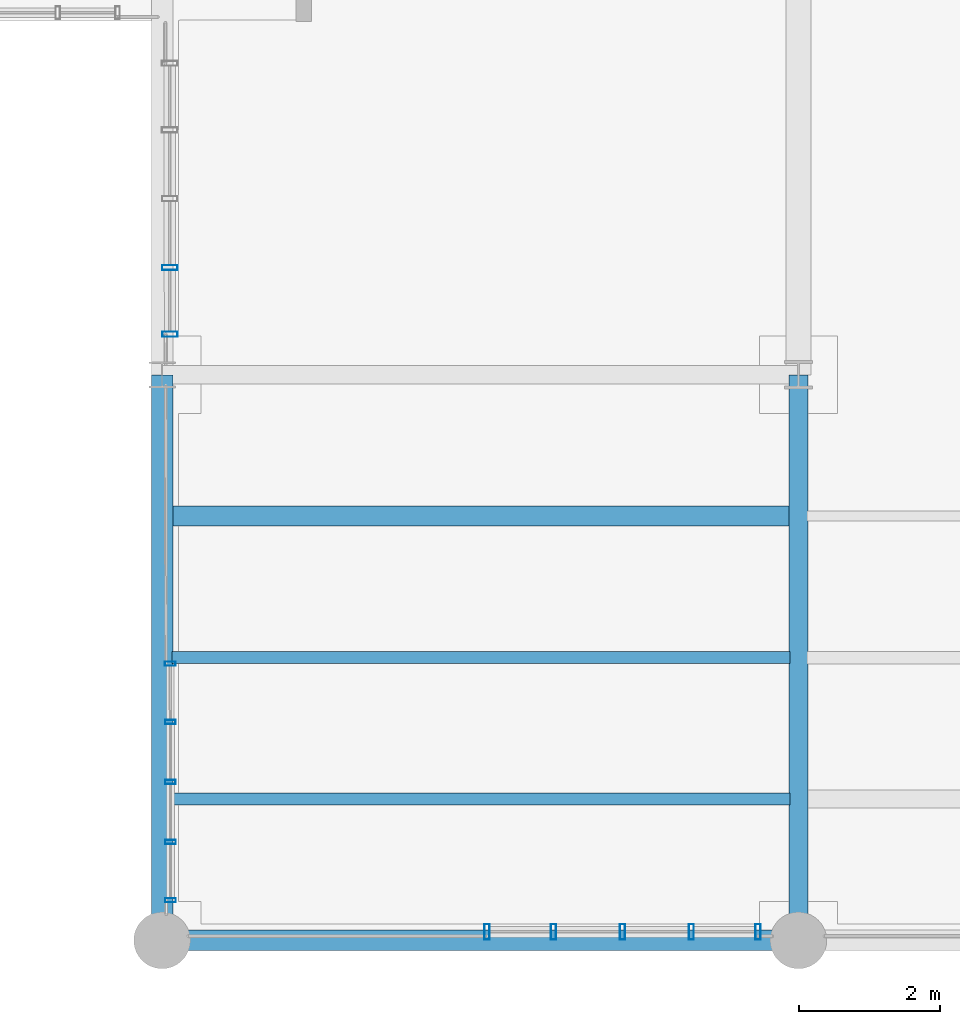
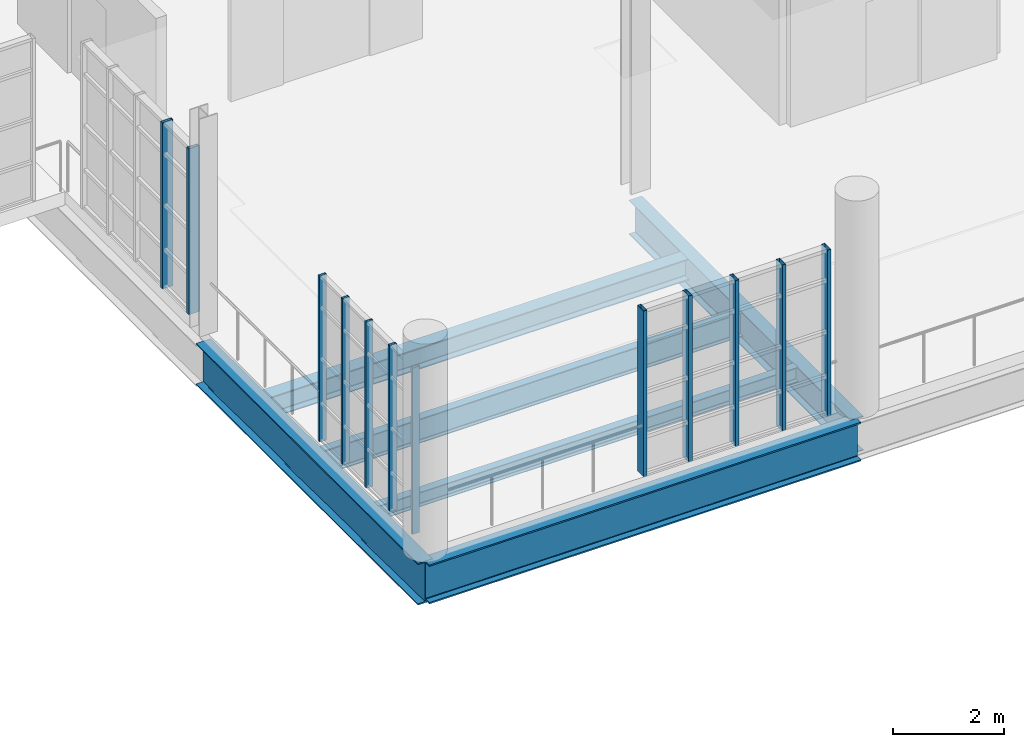
# One storey, part 23 of 122: 12 members, 6 beams, 3 elements without a shape of their own.
"""IFC4 building model written with IfcOpenShell, lengths in metres."""

from ifc_helpers import new_model, si_unit, direction, frame, origin, origin_2d, place, context, subcontext, project, spatial, hollow_rectangle, i_section, extrude, material, layer, layer_set, material_profile, profile_set, type_object, element, aggregate, save


model = new_model("IFC4")

# Units and contexts
model_context = context("Model", 3, precision=1e-05, world=origin(), true_north=direction((0.0, 1.0)))
body_context = subcontext(model_context, "Body", "Model", "MODEL_VIEW")
ifc_project = project(units=[si_unit("LENGTHUNIT", "METRE"), si_unit("AREAUNIT", "SQUARE_METRE"), si_unit("VOLUMEUNIT", "CUBIC_METRE"), si_unit("PLANEANGLEUNIT", "RADIAN"), si_unit("MASSUNIT", "GRAM", prefix="KILO"), si_unit("THERMODYNAMICTEMPERATUREUNIT", "KELVIN"), si_unit("POWERUNIT", "WATT")], contexts=[model_context])

# Site, building, storey
site_placement = place(None, origin())
site = spatial("IfcSite", under=ifc_project, at=site_placement, CompositionType="ELEMENT")
building_placement = place(site_placement, origin())
building = spatial("IfcBuilding", under=site, at=building_placement, Name="Zelmaris Science Centre", CompositionType="ELEMENT")
storey_placement = place(building_placement, frame((0.0, 0.0, 10.800048828125)))
storey = spatial("IfcBuildingStorey", under=building, at=storey_placement, Name="L02", CompositionType="ELEMENT", Elevation=10.800048828125)

# Curtain wall, members
ifc_material_1 = material(Name="Anodised architectural aluminium 6063-T6", Category="aluminium")
ifc_layer_1 = layer(ifc_material_1, 0.219970703125, Name="Anodised architectural aluminium 6063-T6")
ifc_layer_set_1 = layer_set([ifc_layer_1], Name="Anodised architectural aluminium 6063-T6")
curtain_wall_type_1 = type_object("IfcCurtainWallType", Name="Curtain Wall CW-04", PredefinedType="USERDEFINED", material=ifc_layer_set_1)
curtain_wall_1_placement = place(storey_placement, origin())
curtain_wall_1 = element("IfcCurtainWall", 1, at=curtain_wall_1_placement, inside=storey, type_object=curtain_wall_type_1, Name="L02 Unitised curtain wall 244", ObjectType="GLAZED CURTAIN WALL", PredefinedType="USERDEFINED")
ifc_material_profile_1 = material_profile(ifc_material_1, hollow_rectangle(XDim=0.06005859375, YDim=0.14990234375, WallThickness=0.00341796875, at=origin_2d()), Name="ALU-MUL-60X150")
ifc_profile_set_1 = profile_set([ifc_material_profile_1], Name="Anodised architectural aluminium 6063-T6")
member_type_1 = type_object("IfcMemberType", Name="ALU-MUL-60X150", PredefinedType="MULLION", material=ifc_profile_set_1)
member_1_placement = place(storey_placement, frame((108.119384765625, 8.566162109375, -0.01513671875), z_axis=(0.0, 0.0, 1.0), x_axis=(-0.001054178673, 0.999999444354, 0.0)))
member_1 = element("IfcMember", 2, at=member_1_placement, type_object=member_type_1, Name="CW-04 mullion 1", PredefinedType="MULLION", context=body_context, shape_type="SweptSolid", body=[
    extrude(hollow_rectangle(XDim=0.06005859375, YDim=0.14990234375, WallThickness=0.00341796875, at=origin_2d()), origin(), (0.0, 0.0, 1.0), 3.6591796875),
])
member_2_placement = place(storey_placement, frame((108.11865234375, 9.39013671875, -0.01513671875), z_axis=(0.0, 0.0, 1.0), x_axis=(-0.001054178673, 0.999999444354, 0.0)))
member_2 = element("IfcMember", 3, at=member_2_placement, type_object=member_type_1, Name="CW-04 mullion 2", PredefinedType="MULLION", context=body_context, shape_type="SweptSolid", body=[
    extrude(hollow_rectangle(XDim=0.06005859375, YDim=0.14990234375, WallThickness=0.00341796875, at=origin_2d()), origin(), (0.0, 0.0, 1.0), 3.6591796875),
])
member_3_placement = place(storey_placement, frame((108.11767578125, 10.240234375, -0.01513671875), z_axis=(0.0, 0.0, 1.0), x_axis=(-0.001054178673, 0.999999444354, 0.0)))
member_3 = element("IfcMember", 4, at=member_3_placement, type_object=member_type_1, Name="CW-04 mullion 3", PredefinedType="MULLION", context=body_context, shape_type="SweptSolid", body=[
    extrude(hollow_rectangle(XDim=0.06005859375, YDim=0.14990234375, WallThickness=0.00341796875, at=origin_2d()), origin(), (0.0, 0.0, 1.0), 3.6591796875),
])
member_4_placement = place(storey_placement, frame((108.11669921875, 11.090087890625, -0.01513671875), z_axis=(0.0, 0.0, 1.0), x_axis=(-0.001054178673, 0.999999444354, 0.0)))
member_4 = element("IfcMember", 5, at=member_4_placement, type_object=member_type_1, Name="CW-04 mullion 4", PredefinedType="MULLION", context=body_context, shape_type="SweptSolid", body=[
    extrude(hollow_rectangle(XDim=0.06005859375, YDim=0.14990234375, WallThickness=0.00341796875, at=origin_2d()), origin(), (0.0, 0.0, 1.0), 3.6591796875),
])
member_5_placement = place(storey_placement, frame((108.115966796875, 11.9140625, -0.01513671875), z_axis=(0.0, 0.0, 1.0), x_axis=(-0.001054178673, 0.999999444354, 0.0)))
member_5 = element("IfcMember", 6, at=member_5_placement, type_object=member_type_1, Name="CW-04 mullion 5", PredefinedType="MULLION", context=body_context, shape_type="SweptSolid", body=[
    extrude(hollow_rectangle(XDim=0.06005859375, YDim=0.14990234375, WallThickness=0.00341796875, at=origin_2d()), origin(), (0.0, 0.0, 1.0), 3.6591796875),
])
aggregate(curtain_wall_1, [member_1, member_2, member_3, member_4, member_5])

ifc_layer_2 = layer(ifc_material_1, 0.199951171875, Name="Anodised architectural aluminium 6063-T6")
ifc_layer_set_2 = layer_set([ifc_layer_2], Name="Anodised architectural aluminium 6063-T6")
curtain_wall_type_2 = type_object("IfcCurtainWallType", Name="Curtain Wall CW-02", PredefinedType="USERDEFINED", material=ifc_layer_set_2)
curtain_wall_2_placement = place(storey_placement, origin())
curtain_wall_2 = element("IfcCurtainWall", 7, at=curtain_wall_2_placement, inside=storey, type_object=curtain_wall_type_2, Name="L02 Unitised curtain wall 242", ObjectType="GLAZED CURTAIN WALL", PredefinedType="USERDEFINED")
ifc_material_profile_2 = material_profile(ifc_material_1, hollow_rectangle(XDim=0.074951171875, YDim=0.219970703125, WallThickness=0.0048828125, at=origin_2d()), Name="ALU-MUL-75X220")
ifc_profile_set_2 = profile_set([ifc_material_profile_2], Name="Anodised architectural aluminium 6063-T6")
member_type_2 = type_object("IfcMemberType", Name="ALU-MUL-75X220", PredefinedType="MULLION", material=ifc_profile_set_2)
member_6_placement = place(storey_placement, frame((116.426513671875, 8.1201171875, -0.01513671875), z_axis=(0.0, 0.0, 1.0), x_axis=(-1.0, 0.0, 0.0)))
member_6 = element("IfcMember", 8, at=member_6_placement, type_object=member_type_2, Name="CW-02 mullion 1", PredefinedType="MULLION", context=body_context, shape_type="SweptSolid", body=[
    extrude(hollow_rectangle(XDim=0.074951171875, YDim=0.219970703125, WallThickness=0.0048828125, at=origin_2d()), origin(), (0.0, 0.0, 1.0), 3.6611328125),
])
member_7_placement = place(storey_placement, frame((115.485107421875, 8.1201171875, -0.01513671875), z_axis=(0.0, 0.0, 1.0), x_axis=(-1.0, 0.0, 0.0)))
member_7 = element("IfcMember", 9, at=member_7_placement, type_object=member_type_2, Name="CW-02 mullion 2", PredefinedType="MULLION", context=body_context, shape_type="SweptSolid", body=[
    extrude(hollow_rectangle(XDim=0.074951171875, YDim=0.219970703125, WallThickness=0.0048828125, at=origin_2d()), origin(), (0.0, 0.0, 1.0), 3.6611328125),
])
member_8_placement = place(storey_placement, frame((114.510009765625, 8.1201171875, -0.01513671875), z_axis=(0.0, 0.0, 1.0), x_axis=(-1.0, 0.0, 0.0)))
member_8 = element("IfcMember", 10, at=member_8_placement, type_object=member_type_2, Name="CW-02 mullion 3", PredefinedType="MULLION", context=body_context, shape_type="SweptSolid", body=[
    extrude(hollow_rectangle(XDim=0.074951171875, YDim=0.219970703125, WallThickness=0.0048828125, at=origin_2d()), origin(), (0.0, 0.0, 1.0), 3.6611328125),
])
member_9_placement = place(storey_placement, frame((113.534912109375, 8.1201171875, -0.01513671875), z_axis=(0.0, 0.0, 1.0), x_axis=(-1.0, 0.0, 0.0)))
member_9 = element("IfcMember", 11, at=member_9_placement, type_object=member_type_2, Name="CW-02 mullion 4", PredefinedType="MULLION", context=body_context, shape_type="SweptSolid", body=[
    extrude(hollow_rectangle(XDim=0.074951171875, YDim=0.219970703125, WallThickness=0.0048828125, at=origin_2d()), origin(), (0.0, 0.0, 1.0), 3.6611328125),
])
member_10_placement = place(storey_placement, frame((112.593505859375, 8.1201171875, -0.01513671875), z_axis=(0.0, 0.0, 1.0), x_axis=(-1.0, 0.0, 0.0)))
member_10 = element("IfcMember", 12, at=member_10_placement, type_object=member_type_2, Name="CW-02 mullion 5", PredefinedType="MULLION", context=body_context, shape_type="SweptSolid", body=[
    extrude(hollow_rectangle(XDim=0.074951171875, YDim=0.219970703125, WallThickness=0.0048828125, at=origin_2d()), origin(), (0.0, 0.0, 1.0), 3.6611328125),
])
aggregate(curtain_wall_2, [member_6, member_7, member_8, member_9, member_10])

curtain_wall_3_placement = place(storey_placement, origin())
curtain_wall_3 = element("IfcCurtainWall", 13, at=curtain_wall_3_placement, inside=storey, type_object=curtain_wall_type_2, Name="L02 Unitised curtain wall 246", ObjectType="GLAZED CURTAIN WALL", PredefinedType="USERDEFINED")
member_11_placement = place(storey_placement, frame((108.111083984375, 16.573486328125, -0.01513671875), z_axis=(0.0, 0.0, 1.0), x_axis=(-0.001054178673, 0.999999444354, 0.0)))
member_11 = element("IfcMember", 14, at=member_11_placement, type_object=member_type_2, Name="CW-02 mullion 1", PredefinedType="MULLION", context=body_context, shape_type="SweptSolid", body=[
    extrude(hollow_rectangle(XDim=0.074951171875, YDim=0.219970703125, WallThickness=0.0048828125, at=origin_2d()), origin(), (0.0, 0.0, 1.0), 3.6591796875),
])
member_12_placement = place(storey_placement, frame((108.110107421875, 17.5146484375, -0.01513671875), z_axis=(0.0, 0.0, 1.0), x_axis=(-0.001054178673, 0.999999444354, 0.0)))
member_12 = element("IfcMember", 15, at=member_12_placement, type_object=member_type_2, Name="CW-02 mullion 2", PredefinedType="MULLION", context=body_context, shape_type="SweptSolid", body=[
    extrude(hollow_rectangle(XDim=0.074951171875, YDim=0.219970703125, WallThickness=0.0048828125, at=origin_2d()), origin(), (0.0, 0.0, 1.0), 3.6591796875),
])
aggregate(curtain_wall_3, [member_11, member_12])

# Beams
ifc_material_2 = material(Name="Steel ASTM A992 Grade 50", Category="steel")
ifc_material_profile_3 = material_profile(ifc_material_2, i_section(OverallWidth=0.304931640625, OverallDepth=0.9189453125, WebThickness=0.017333984375, FlangeThickness=0.02783203125, FilletRadius=0.02392578125, at=origin_2d()), Name="W36X170")
ifc_profile_set_3 = profile_set([ifc_material_profile_3], Name="Steel ASTM A992 Grade 50")
beam_type_1 = type_object("IfcBeamType", Name="Beam G-26 W36X170", PredefinedType="BEAM", material=ifc_profile_set_3)
beam_1_placement = place(storey_placement, frame((108.0, 8.0, -0.719482421875), z_axis=(0.0, 1.0, 0.0), x_axis=(-1.0, 0.0, 0.0)))
element("IfcBeam", 16, at=beam_1_placement, inside=storey, type_object=beam_type_1, Name="L02 North-south girder 511", PredefinedType="BEAM", context=body_context, shape_type="SweptSolid", body=[
    extrude(i_section(OverallWidth=0.304931640625, OverallDepth=0.9189453125, WebThickness=0.017333984375, FlangeThickness=0.02783203125, FilletRadius=0.02392578125, at=origin_2d()), origin(), (0.0, 0.0, 1.0), 8.0),
])
ifc_material_profile_4 = material_profile(ifc_material_2, i_section(OverallWidth=0.2919921875, OverallDepth=0.85888671875, WebThickness=0.01708984375, FlangeThickness=0.031005859375, FilletRadius=0.02001953125, at=origin_2d()), Name="W33X169")
ifc_profile_set_4 = profile_set([ifc_material_profile_4], Name="Steel ASTM A992 Grade 50")
beam_type_2 = type_object("IfcBeamType", Name="Beam G-29 W33X169", PredefinedType="BEAM", material=ifc_profile_set_4)
beam_2_placement = place(storey_placement, frame((108.0, 8.0, -0.689453125), z_axis=(1.0, 0.0, 0.0), x_axis=(0.0, 1.0, 0.0)))
element("IfcBeam", 17, at=beam_2_placement, inside=storey, type_object=beam_type_2, Name="L02 East-west girder 545", PredefinedType="BEAM", context=body_context, shape_type="SweptSolid", body=[
    extrude(i_section(OverallWidth=0.2919921875, OverallDepth=0.85888671875, WebThickness=0.01708984375, FlangeThickness=0.031005859375, FilletRadius=0.02001953125, at=origin_2d()), origin(), (0.0, 0.0, 1.0), 9.0),
])
ifc_material_profile_5 = material_profile(ifc_material_2, i_section(OverallWidth=0.26708984375, OverallDepth=0.75390625, WebThickness=0.01318359375, FlangeThickness=0.01708984375, FilletRadius=0.01904296875, at=origin_2d()), Name="W30X99")
ifc_profile_set_5 = profile_set([ifc_material_profile_5], Name="Steel ASTM A992 Grade 50")
beam_type_3 = type_object("IfcBeamType", Name="Beam G-34 W30X99", PredefinedType="BEAM", material=ifc_profile_set_5)
beam_3_placement = place(storey_placement, frame((117.0, 8.0, -0.636962890625), z_axis=(0.0, 1.0, 0.0), x_axis=(-1.0, 0.0, 0.0)))
element("IfcBeam", 18, at=beam_3_placement, inside=storey, type_object=beam_type_3, Name="L02 North-south girder 519", PredefinedType="BEAM", context=body_context, shape_type="SweptSolid", body=[
    extrude(i_section(OverallWidth=0.26708984375, OverallDepth=0.75390625, WebThickness=0.01318359375, FlangeThickness=0.01708984375, FilletRadius=0.01904296875, at=origin_2d()), origin(), (0.0, 0.0, 1.0), 8.0),
])
ifc_material_profile_6 = material_profile(ifc_material_2, i_section(OverallWidth=0.16796875, OverallDepth=0.532958984375, WebThickness=0.01025390625, FlangeThickness=0.0166015625, FilletRadius=0.013916015625, at=origin_2d()), Name="W21X57")
ifc_profile_set_6 = profile_set([ifc_material_profile_6], Name="Steel ASTM A992 Grade 50")
beam_type_4 = type_object("IfcBeamType", Name="Beam J-01 W21X57", PredefinedType="JOIST", material=ifc_profile_set_6)
beam_4_placement = place(storey_placement, frame((108.137451171875, 12.0, -0.526611328125), z_axis=(1.0, 0.0, 0.0), x_axis=(0.0, 1.0, 0.0)))
element("IfcBeam", 19, at=beam_4_placement, inside=storey, type_object=beam_type_4, Name="L02 Composite floor joist 270", PredefinedType="JOIST", context=body_context, shape_type="SweptSolid", body=[
    extrude(i_section(OverallWidth=0.16796875, OverallDepth=0.532958984375, WebThickness=0.01025390625, FlangeThickness=0.0166015625, FilletRadius=0.013916015625, at=origin_2d()), origin(), (0.0, 0.0, 1.0), 8.744140625),
])
ifc_material_profile_7 = material_profile(ifc_material_2, i_section(OverallWidth=0.281982421875, OverallDepth=0.471923828125, WebThickness=0.013671875, FlangeThickness=0.022216796875, FilletRadius=0.012939453125, at=origin_2d()), Name="W18X97")
ifc_profile_set_7 = profile_set([ifc_material_profile_7], Name="Steel ASTM A992 Grade 50")
beam_type_5 = type_object("IfcBeamType", Name="Beam J-02 W18X97", PredefinedType="JOIST", material=ifc_profile_set_7)
beam_5_placement = place(storey_placement, frame((108.137451171875, 14.0, -0.49609375), z_axis=(1.0, 0.0, 0.0), x_axis=(0.0, 1.0, 0.0)))
element("IfcBeam", 20, at=beam_5_placement, inside=storey, type_object=beam_type_5, Name="L02 Composite floor joist 271", PredefinedType="JOIST", context=body_context, shape_type="SweptSolid", body=[
    extrude(i_section(OverallWidth=0.281982421875, OverallDepth=0.471923828125, WebThickness=0.013671875, FlangeThickness=0.022216796875, FilletRadius=0.012939453125, at=origin_2d()), origin(), (0.0, 0.0, 1.0), 8.744140625),
])
ifc_material_profile_8 = material_profile(ifc_material_2, i_section(OverallWidth=0.1669921875, OverallDepth=0.318115234375, WebThickness=0.007568359375, FlangeThickness=0.01318359375, FilletRadius=0.011962890625, at=origin_2d()), Name="W12X35")
ifc_profile_set_8 = profile_set([ifc_material_profile_8], Name="Steel ASTM A992 Grade 50")
beam_type_6 = type_object("IfcBeamType", Name="Beam J-09 W12X35", PredefinedType="JOIST", material=ifc_profile_set_8)
beam_6_placement = place(storey_placement, frame((108.137451171875, 10.0, -0.4189453125), z_axis=(1.0, 0.0, 0.0), x_axis=(0.0, 1.0, 0.0)))
element("IfcBeam", 21, at=beam_6_placement, inside=storey, type_object=beam_type_6, Name="L02 Composite floor joist 269", PredefinedType="JOIST", context=body_context, shape_type="SweptSolid", body=[
    extrude(i_section(OverallWidth=0.1669921875, OverallDepth=0.318115234375, WebThickness=0.007568359375, FlangeThickness=0.01318359375, FilletRadius=0.011962890625, at=origin_2d()), origin(), (0.0, 0.0, 1.0), 8.744140625),
])

save(model, "model.ifc")
